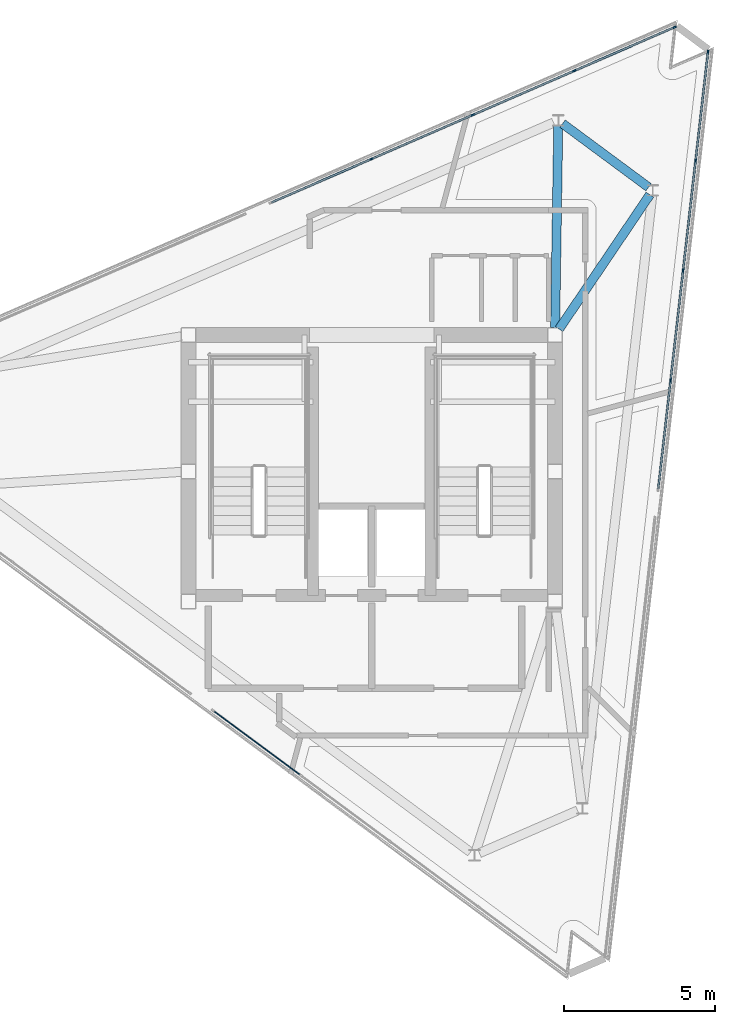
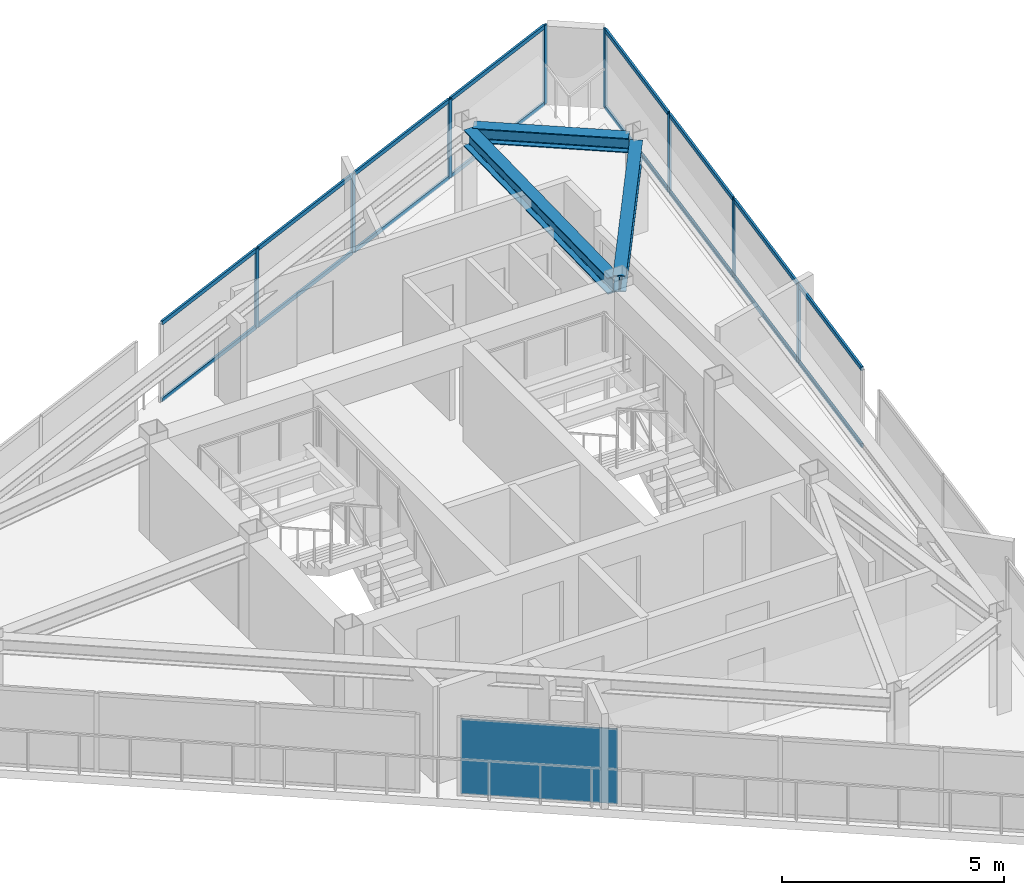
# One storey, part 5 of 9: 24 members, 3 beams, 1 plate, 3 elements without a shape of their own.
"""IFC4 building model written with IfcOpenShell, lengths in metres."""

from ifc_helpers import new_model, si_unit, direction, frame, origin, origin_2d, place, context, subcontext, project, spatial, rectangle, i_section, extrude, material, layer, layer_set, material_profile, profile_set, type_object, element, aggregate, save


model = new_model("IFC4")

# Units and contexts
model_context = context("Model", 3, precision=1e-05, world=origin(), true_north=direction((0.0, 1.0)))
body_context = subcontext(model_context, "Body", "Model", "MODEL_VIEW")
ifc_project = project(units=[si_unit("LENGTHUNIT", "METRE"), si_unit("AREAUNIT", "SQUARE_METRE"), si_unit("VOLUMEUNIT", "CUBIC_METRE"), si_unit("PLANEANGLEUNIT", "RADIAN"), si_unit("MASSUNIT", "GRAM", prefix="KILO")], contexts=[model_context])

# Site, building, storey
site_placement = place(None, origin())
site = spatial("IfcSite", under=ifc_project, at=site_placement, CompositionType="ELEMENT")
building_placement = place(site_placement, origin())
building = spatial("IfcBuilding", under=site, at=building_placement, Name="Rocaltana Carrier Exchange", CompositionType="ELEMENT")
storey_placement = place(building_placement, frame((0.0, 0.0, 243.360107421875)))
storey = spatial("IfcBuildingStorey", under=building, at=storey_placement, Name="L77", CompositionType="ELEMENT", Elevation=243.360107421875)

# Curtain wall, members
ifc_material_1 = material(Name="Aluminium 6063-T6", Category="aluminium")
ifc_layer_1 = layer(ifc_material_1, 0.110107421875)
ifc_layer_set_1 = layer_set([ifc_layer_1], Name="Aluminium 6063-T6")
curtain_wall_type = type_object("IfcCurtainWallType", Name="Crown Lantern Faceted Curtain Wall CW-06", PredefinedType="NOTDEFINED", material=ifc_layer_set_1)
curtain_wall_1_placement = place(storey_placement, origin())
curtain_wall_1 = element("IfcCurtainWall", 1, at=curtain_wall_1_placement, inside=storey, type_object=curtain_wall_type, Name="L77 CW-06 Run CW06-L77-F1S2", PredefinedType="NOTDEFINED")
ifc_material_2 = material(Name="Aluminium 6063-T6", Category="aluminium")
ifc_material_profile_1 = material_profile(ifc_material_2, rectangle(XDim=0.054931640625, YDim=0.110107421875, at=origin_2d()), Name="AL-55X110")
ifc_profile_set_1 = profile_set([ifc_material_profile_1], Name="Aluminium 6063-T6")
member_type_1 = type_object("IfcMemberType", Name="CW-06 Mullion AL-55X110", PredefinedType="MULLION", material=ifc_profile_set_1)
member_1_placement = place(storey_placement, frame((9.864990234375, 3.00244140625, 0.0), z_axis=(0.0, 0.0, 1.0), x_axis=(-0.993572415892, 0.113198296715, 0.0)))
member_1 = element("IfcMember", 2, at=member_1_placement, type_object=member_type_1, Name="CW-06 mullion 2", PredefinedType="MULLION", context=body_context, shape_type="SweptSolid", body=[
    extrude(rectangle(XDim=0.054931640625, YDim=0.110107421875, at=origin_2d()), origin(), (0.0, 0.0, 1.0), 2.16796875),
])
member_2_placement = place(storey_placement, frame((10.2783203125, 6.629150390625, 0.0), z_axis=(0.0, 0.0, 1.0), x_axis=(-0.993572415892, 0.113198296715, 0.0)))
member_2 = element("IfcMember", 3, at=member_2_placement, type_object=member_type_1, Name="CW-06 mullion 3", PredefinedType="MULLION", context=body_context, shape_type="SweptSolid", body=[
    extrude(rectangle(XDim=0.054931640625, YDim=0.110107421875, at=origin_2d()), origin(), (0.0, 0.0, 1.0), 2.16796875),
])
member_3_placement = place(storey_placement, frame((10.69140625, 10.255615234375, 0.0), z_axis=(0.0, 0.0, 1.0), x_axis=(-0.993572415892, 0.113198296715, 0.0)))
member_3 = element("IfcMember", 4, at=member_3_placement, type_object=member_type_1, Name="CW-06 mullion 4", PredefinedType="MULLION", context=body_context, shape_type="SweptSolid", body=[
    extrude(rectangle(XDim=0.054931640625, YDim=0.110107421875, at=origin_2d()), origin(), (0.0, 0.0, 1.0), 2.16796875),
])
member_4_placement = place(storey_placement, frame((11.1015625, 13.85498046875, 0.0), z_axis=(0.0, 0.0, 1.0), x_axis=(-0.993572415892, 0.113198296715, 0.0)))
member_4 = element("IfcMember", 5, at=member_4_placement, type_object=member_type_1, Name="CW-06 mullion 5", PredefinedType="MULLION", context=body_context, shape_type="SweptSolid", body=[
    extrude(rectangle(XDim=0.054931640625, YDim=0.110107421875, at=origin_2d()), origin(), (0.0, 0.0, 1.0), 2.16796875),
])

curtain_wall_2_placement = place(storey_placement, origin())
curtain_wall_2 = element("IfcCurtainWall", 6, at=curtain_wall_2_placement, inside=storey, type_object=curtain_wall_type, Name="L77 CW-06 Run CW06-L77-F2S1", PredefinedType="NOTDEFINED")
member_5_placement = place(storey_placement, frame((10.003662109375, 14.667236328125, 0.0), z_axis=(0.0, 0.0, 1.0), x_axis=(0.398752158171, -0.917058731137, 0.0)))
member_5 = element("IfcMember", 7, at=member_5_placement, type_object=member_type_1, Name="CW-06 mullion 1", PredefinedType="MULLION", context=body_context, shape_type="SweptSolid", body=[
    extrude(rectangle(XDim=0.054931640625, YDim=0.110107421875, at=origin_2d()), origin(), (0.0, 0.0, 1.0), 2.16796875),
])
member_6_placement = place(storey_placement, frame((6.681640625, 13.22265625, 0.0), z_axis=(0.0, 0.0, 1.0), x_axis=(0.398752158171, -0.917058731137, 0.0)))
member_6 = element("IfcMember", 8, at=member_6_placement, type_object=member_type_1, Name="CW-06 mullion 2", PredefinedType="MULLION", context=body_context, shape_type="SweptSolid", body=[
    extrude(rectangle(XDim=0.054931640625, YDim=0.110107421875, at=origin_2d()), origin(), (0.0, 0.0, 1.0), 2.16796875),
])
member_7_placement = place(storey_placement, frame((3.334228515625, 11.767333984375, 0.0), z_axis=(0.0, 0.0, 1.0), x_axis=(0.398752158171, -0.917058731137, 0.0)))
member_7 = element("IfcMember", 9, at=member_7_placement, type_object=member_type_1, Name="CW-06 mullion 3", PredefinedType="MULLION", context=body_context, shape_type="SweptSolid", body=[
    extrude(rectangle(XDim=0.054931640625, YDim=0.110107421875, at=origin_2d()), origin(), (0.0, 0.0, 1.0), 2.16796875),
])
member_8_placement = place(storey_placement, frame((-0.012939453125, 10.311767578125, 0.0), z_axis=(0.0, 0.0, 1.0), x_axis=(0.398752158171, -0.917058731137, 0.0)))
member_8 = element("IfcMember", 10, at=member_8_placement, type_object=member_type_1, Name="CW-06 mullion 4", PredefinedType="MULLION", context=body_context, shape_type="SweptSolid", body=[
    extrude(rectangle(XDim=0.054931640625, YDim=0.110107421875, at=origin_2d()), origin(), (0.0, 0.0, 1.0), 2.16796875),
])

# Member
ifc_material_3 = material(Name="Aluminium 6063-T6", Category="aluminium")
ifc_material_profile_2 = material_profile(ifc_material_3, rectangle(XDim=0.054931640625, YDim=0.110107421875, at=origin_2d()), Name="AL-55X110")
ifc_profile_set_2 = profile_set([ifc_material_profile_2], Name="Aluminium 6063-T6")
member_type_2 = type_object("IfcMemberType", Name="CW-06 Transom AL-55X110", PredefinedType="USERDEFINED", material=ifc_profile_set_2)
member_9_placement = place(storey_placement, frame((9.4580078125, -0.5693359375, 0.02734375), z_axis=(0.113255156986, 0.993565936119, 0.0), x_axis=(-0.993565936119, 0.113255156986, 0.0)))
member_9 = element("IfcMember", 11, at=member_9_placement, type_object=member_type_2, Name="CW-06 transom 1.1", ObjectType="TRANSOM", PredefinedType="USERDEFINED", context=body_context, shape_type="SweptSolid", body=[
    extrude(rectangle(XDim=0.054931640625, YDim=0.110107421875, at=origin_2d()), origin(), (0.0, 0.0, 1.0), 3.567626953125),
])

member_10_placement = place(storey_placement, frame((9.4580078125, -0.5693359375, 2.140380859375), z_axis=(0.113255156986, 0.993565936119, 0.0), x_axis=(-0.993565936119, 0.113255156986, 0.0)))
member_10 = element("IfcMember", 12, at=member_10_placement, type_object=member_type_2, Name="CW-06 transom 1.2", ObjectType="TRANSOM", PredefinedType="USERDEFINED", context=body_context, shape_type="SweptSolid", body=[
    extrude(rectangle(XDim=0.054931640625, YDim=0.110107421875, at=origin_2d()), origin(), (0.0, 0.0, 1.0), 3.567626953125),
])

member_11_placement = place(storey_placement, frame((9.8681640625, 3.02978515625, 0.02734375), z_axis=(0.113203757781, 0.993571793694, 0.0), x_axis=(-0.993571793694, 0.113203757781, 0.0)))
member_11 = element("IfcMember", 13, at=member_11_placement, type_object=member_type_2, Name="CW-06 transom 2.1", ObjectType="TRANSOM", PredefinedType="USERDEFINED", context=body_context, shape_type="SweptSolid", body=[
    extrude(rectangle(XDim=0.054931640625, YDim=0.110107421875, at=origin_2d()), origin(), (0.0, 0.0, 1.0), 3.59521484375),
])

member_12_placement = place(storey_placement, frame((9.8681640625, 3.02978515625, 2.140380859375), z_axis=(0.113203757781, 0.993571793694, 0.0), x_axis=(-0.993571793694, 0.113203757781, 0.0)))
member_12 = element("IfcMember", 14, at=member_12_placement, type_object=member_type_2, Name="CW-06 transom 2.2", ObjectType="TRANSOM", PredefinedType="USERDEFINED", context=body_context, shape_type="SweptSolid", body=[
    extrude(rectangle(XDim=0.054931640625, YDim=0.110107421875, at=origin_2d()), origin(), (0.0, 0.0, 1.0), 3.59521484375),
])

member_13_placement = place(storey_placement, frame((10.28125, 6.656494140625, 0.02734375), z_axis=(0.113211396393, 0.99357092335, 0.0), x_axis=(-0.99357092335, 0.113211396393, 0.0)))
member_13 = element("IfcMember", 15, at=member_13_placement, type_object=member_type_2, Name="CW-06 transom 3.1", ObjectType="TRANSOM", PredefinedType="USERDEFINED", context=body_context, shape_type="SweptSolid", body=[
    extrude(rectangle(XDim=0.054931640625, YDim=0.110107421875, at=origin_2d()), origin(), (0.0, 0.0, 1.0), 3.594970703125),
])

member_14_placement = place(storey_placement, frame((10.28125, 6.656494140625, 2.140380859375), z_axis=(0.113211396393, 0.99357092335, 0.0), x_axis=(-0.99357092335, 0.113211396393, 0.0)))
member_14 = element("IfcMember", 16, at=member_14_placement, type_object=member_type_2, Name="CW-06 transom 3.2", ObjectType="TRANSOM", PredefinedType="USERDEFINED", context=body_context, shape_type="SweptSolid", body=[
    extrude(rectangle(XDim=0.054931640625, YDim=0.110107421875, at=origin_2d()), origin(), (0.0, 0.0, 1.0), 3.594970703125),
])

member_15_placement = place(storey_placement, frame((10.694580078125, 10.282958984375, 0.02734375), z_axis=(0.113187601842, 0.993573634307, 0.0), x_axis=(-0.993573634307, 0.113187601842, 0.0)))
member_15 = element("IfcMember", 17, at=member_15_placement, type_object=member_type_2, Name="CW-06 transom 4.1", ObjectType="TRANSOM", PredefinedType="USERDEFINED", context=body_context, shape_type="SweptSolid", body=[
    extrude(rectangle(XDim=0.054931640625, YDim=0.110107421875, at=origin_2d()), origin(), (0.0, 0.0, 1.0), 3.567626953125),
])

member_16_placement = place(storey_placement, frame((10.694580078125, 10.282958984375, 2.140380859375), z_axis=(0.113187601842, 0.993573634307, 0.0), x_axis=(-0.993573634307, 0.113187601842, 0.0)))
member_16 = element("IfcMember", 18, at=member_16_placement, type_object=member_type_2, Name="CW-06 transom 4.2", ObjectType="TRANSOM", PredefinedType="USERDEFINED", context=body_context, shape_type="SweptSolid", body=[
    extrude(rectangle(XDim=0.054931640625, YDim=0.110107421875, at=origin_2d()), origin(), (0.0, 0.0, 1.0), 3.567626953125),
])

aggregate(curtain_wall_1, [member_1, member_2, member_3, member_4, member_9, member_10, member_11, member_12, member_13, member_14, member_15, member_16])

member_17_placement = place(storey_placement, frame((9.978515625, 14.65625, 0.02734375), z_axis=(-0.917058088389, -0.398753636373, 0.0), x_axis=(0.398753636373, -0.917058088389, 0.0)))
member_17 = element("IfcMember", 19, at=member_17_placement, type_object=member_type_2, Name="CW-06 transom 1.1", ObjectType="TRANSOM", PredefinedType="USERDEFINED", context=body_context, shape_type="SweptSolid", body=[
    extrude(rectangle(XDim=0.054931640625, YDim=0.110107421875, at=origin_2d()), origin(), (0.0, 0.0, 1.0), 3.567626953125),
])

member_18_placement = place(storey_placement, frame((9.978515625, 14.65625, 2.140380859375), z_axis=(-0.917058088389, -0.398753636373, 0.0), x_axis=(0.398753636373, -0.917058088389, 0.0)))
member_18 = element("IfcMember", 20, at=member_18_placement, type_object=member_type_2, Name="CW-06 transom 1.2", ObjectType="TRANSOM", PredefinedType="USERDEFINED", context=body_context, shape_type="SweptSolid", body=[
    extrude(rectangle(XDim=0.054931640625, YDim=0.110107421875, at=origin_2d()), origin(), (0.0, 0.0, 1.0), 3.567626953125),
])

member_19_placement = place(storey_placement, frame((6.656494140625, 13.211669921875, 0.02734375), z_axis=(-0.917077613813, -0.398708728576, 0.0), x_axis=(0.398708728576, -0.917077613813, 0.0)))
member_19 = element("IfcMember", 21, at=member_19_placement, type_object=member_type_2, Name="CW-06 transom 2.1", ObjectType="TRANSOM", PredefinedType="USERDEFINED", context=body_context, shape_type="SweptSolid", body=[
    extrude(rectangle(XDim=0.054931640625, YDim=0.110107421875, at=origin_2d()), origin(), (0.0, 0.0, 1.0), 3.594970703125),
])

member_20_placement = place(storey_placement, frame((6.656494140625, 13.211669921875, 2.140380859375), z_axis=(-0.917077613813, -0.398708728576, 0.0), x_axis=(0.398708728576, -0.917077613813, 0.0)))
member_20 = element("IfcMember", 22, at=member_20_placement, type_object=member_type_2, Name="CW-06 transom 2.2", ObjectType="TRANSOM", PredefinedType="USERDEFINED", context=body_context, shape_type="SweptSolid", body=[
    extrude(rectangle(XDim=0.054931640625, YDim=0.110107421875, at=origin_2d()), origin(), (0.0, 0.0, 1.0), 3.594970703125),
])

member_21_placement = place(storey_placement, frame((3.30908203125, 11.75634765625, 0.02734375), z_axis=(-0.917052781061, -0.398765842002, 0.0), x_axis=(0.398765842002, -0.917052781061, 0.0)))
member_21 = element("IfcMember", 23, at=member_21_placement, type_object=member_type_2, Name="CW-06 transom 3.1", ObjectType="TRANSOM", PredefinedType="USERDEFINED", context=body_context, shape_type="SweptSolid", body=[
    extrude(rectangle(XDim=0.054931640625, YDim=0.110107421875, at=origin_2d()), origin(), (0.0, 0.0, 1.0), 3.594970703125),
])

member_22_placement = place(storey_placement, frame((3.30908203125, 11.75634765625, 2.140380859375), z_axis=(-0.917052781061, -0.398765842002, 0.0), x_axis=(0.398765842002, -0.917052781061, 0.0)))
member_22 = element("IfcMember", 24, at=member_22_placement, type_object=member_type_2, Name="CW-06 transom 3.2", ObjectType="TRANSOM", PredefinedType="USERDEFINED", context=body_context, shape_type="SweptSolid", body=[
    extrude(rectangle(XDim=0.054931640625, YDim=0.110107421875, at=origin_2d()), origin(), (0.0, 0.0, 1.0), 3.594970703125),
])

member_23_placement = place(storey_placement, frame((-0.0380859375, 10.30078125, 0.02734375), z_axis=(-0.91708311152, -0.398696082957, 0.0), x_axis=(0.398696082957, -0.91708311152, 0.0)))
member_23 = element("IfcMember", 25, at=member_23_placement, type_object=member_type_2, Name="CW-06 transom 4.1", ObjectType="TRANSOM", PredefinedType="USERDEFINED", context=body_context, shape_type="SweptSolid", body=[
    extrude(rectangle(XDim=0.054931640625, YDim=0.110107421875, at=origin_2d()), origin(), (0.0, 0.0, 1.0), 3.567626953125),
])

member_24_placement = place(storey_placement, frame((-0.0380859375, 10.30078125, 2.140380859375), z_axis=(-0.91708311152, -0.398696082957, 0.0), x_axis=(0.398696082957, -0.91708311152, 0.0)))
member_24 = element("IfcMember", 26, at=member_24_placement, type_object=member_type_2, Name="CW-06 transom 4.2", ObjectType="TRANSOM", PredefinedType="USERDEFINED", context=body_context, shape_type="SweptSolid", body=[
    extrude(rectangle(XDim=0.054931640625, YDim=0.110107421875, at=origin_2d()), origin(), (0.0, 0.0, 1.0), 3.567626953125),
])

aggregate(curtain_wall_2, [member_5, member_6, member_7, member_8, member_17, member_18, member_19, member_20, member_21, member_22, member_23, member_24])

# Beams
ifc_material_4 = material(Name="Steel S460", Category="steel")
ifc_material_profile_3 = material_profile(ifc_material_4, i_section(OverallWidth=0.300048828125, OverallDepth=0.449951171875, WebThickness=0.013916015625, FlangeThickness=0.02587890625, FilletRadius=0.027099609375, at=origin_2d()), Name="HEB450")
ifc_profile_set_3 = profile_set([ifc_material_profile_3], Name="Steel S460")
beam_type_1 = type_object("IfcBeamType", Name="Crown Frame Rafter HEB450", PredefinedType="BEAM", material=ifc_profile_set_3)
beam_1_placement = place(storey_placement, frame((6.185546875, 4.700439453125, 2.4228515625), z_axis=(0.55981845745, 0.828615287512, 0.0), x_axis=(-0.828615287512, 0.55981845745, 0.0)))
element("IfcBeam", 27, at=beam_1_placement, inside=storey, type_object=beam_type_1, Name="CRG-RAD-L77-02", PredefinedType="BEAM", context=body_context, shape_type="SweptSolid", body=[
    extrude(i_section(OverallWidth=0.300048828125, OverallDepth=0.449951171875, WebThickness=0.013916015625, FlangeThickness=0.02587890625, FilletRadius=0.027099609375, at=origin_2d()), origin(), (0.0, 0.0, 1.0), 5.349609375),
])
beam_2_placement = place(storey_placement, frame((6.0537109375, 4.741943359375, 2.4228515625), z_axis=(0.015446977979, 0.999880688318, 0.0), x_axis=(-0.999880688318, 0.015446977979, 0.0)))
element("IfcBeam", 28, at=beam_2_placement, inside=storey, type_object=beam_type_1, Name="CRG-RAD-L77-03", PredefinedType="BEAM", context=body_context, shape_type="SweptSolid", body=[
    extrude(i_section(OverallWidth=0.300048828125, OverallDepth=0.449951171875, WebThickness=0.013916015625, FlangeThickness=0.02587890625, FilletRadius=0.027099609375, at=origin_2d()), origin(), (0.0, 0.0, 1.0), 6.669677734375),
])
ifc_material_5 = material(Name="Steel S460", Category="steel")
ifc_material_profile_4 = material_profile(ifc_material_5, i_section(OverallWidth=0.300048828125, OverallDepth=0.39990234375, WebThickness=0.013427734375, FlangeThickness=0.02392578125, FilletRadius=0.027099609375, at=origin_2d()), Name="HEB400")
ifc_profile_set_4 = profile_set([ifc_material_profile_4], Name="Steel S460")
beam_type_2 = type_object("IfcBeamType", Name="Crown Ring Beam HEB400", PredefinedType="BEAM", material=ifc_profile_set_4)
beam_3_placement = place(storey_placement, frame((9.137939453125, 9.380859375, 2.447998046875), z_axis=(-0.803841238044, 0.594843898867, 0.0), x_axis=(-0.594843898867, -0.803841238044, 0.0)))
element("IfcBeam", 29, at=beam_3_placement, inside=storey, type_object=beam_type_2, Name="CRG-RING-L77-02", PredefinedType="BEAM", context=body_context, shape_type="SweptSolid", body=[
    extrude(i_section(OverallWidth=0.300048828125, OverallDepth=0.39990234375, WebThickness=0.013427734375, FlangeThickness=0.02392578125, FilletRadius=0.027099609375, at=origin_2d()), origin(), (0.0, 0.0, 1.0), 3.53125),
])

# Curtain wall, plate
curtain_wall_3_placement = place(storey_placement, origin())
curtain_wall_3 = element("IfcCurtainWall", 30, at=curtain_wall_3_placement, inside=storey, type_object=curtain_wall_type, Name="L77 CW-06 Run CW06-L77-F3S2", PredefinedType="NOTDEFINED")
ifc_material_6 = material(Name="Tempered Laminated Glass", Category="glass")
ifc_layer_2 = layer(ifc_material_6, 0.033935546875)
ifc_layer_set_2 = layer_set([ifc_layer_2], Name="Tempered Laminated Glass")
plate_type = type_object("IfcPlateType", Name="CW-06 Stone-Insulated Vision Panel", PredefinedType="CURTAIN_PANEL", material=ifc_layer_set_2)
plate_placement = place(storey_placement, frame((-3.788330078125, -8.96728515625, 0.054931640625), z_axis=(0.0, 0.0, 1.0), x_axis=(0.803857029765, -0.594822558161, 0.0)))
plate = element("IfcPlate", 31, at=plate_placement, type_object=plate_type, Name="CW-06 panel 1.1", PredefinedType="CURTAIN_PANEL", context=body_context, shape_type="SweptSolid", body=[
    extrude(rectangle(XDim=3.5673828125, YDim=0.033935546875, at=origin_2d()), origin(), (0.0, 0.0, 1.0), 2.05810546875),
])
aggregate(curtain_wall_3, [plate])

save(model, "model.ifc")
